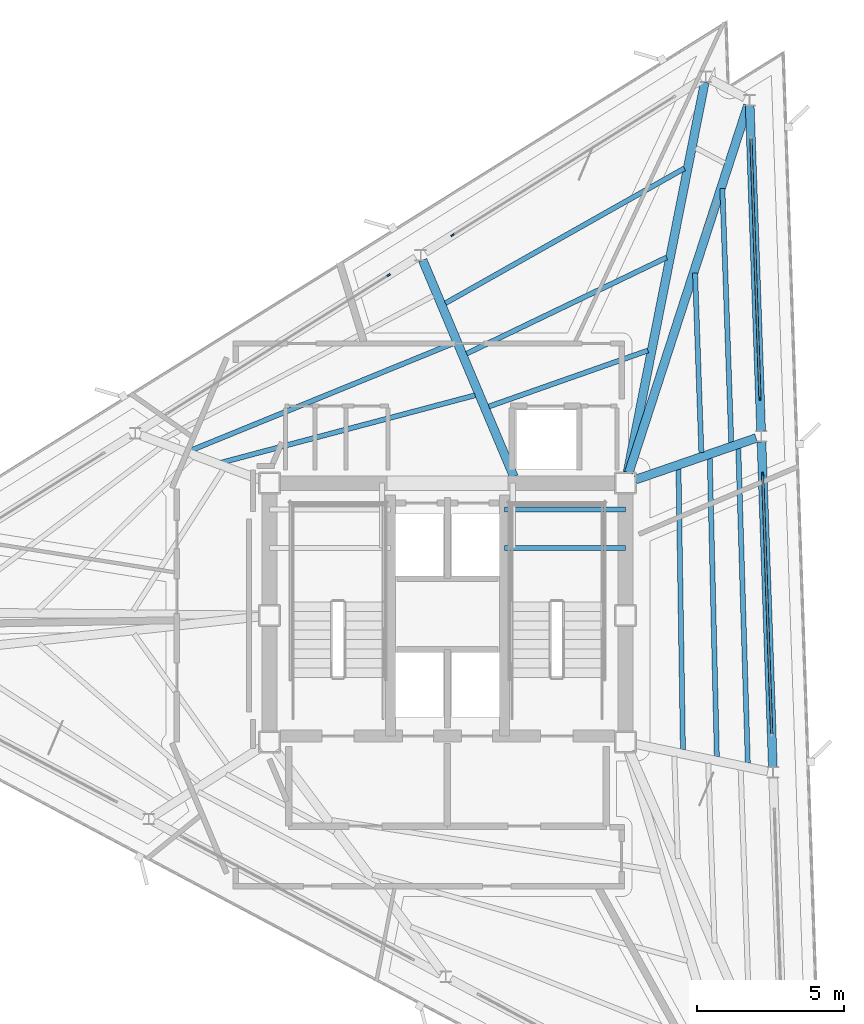
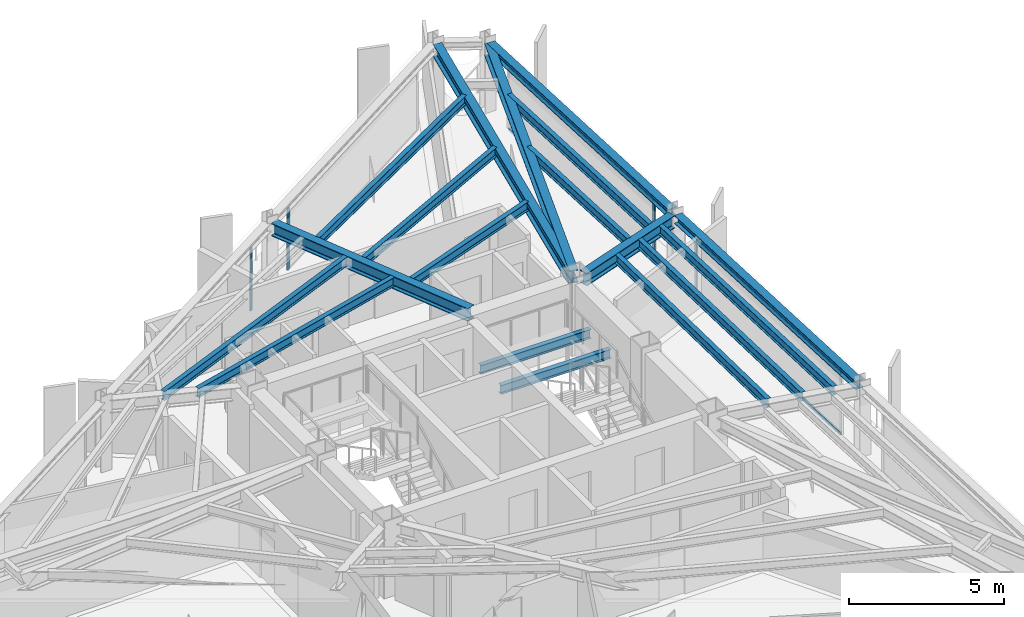
# One storey, part 5 of 13: 18 beams, 8 members, 4 elements without a shape of their own.
"""IFC4 building model written with IfcOpenShell, lengths in metres."""

from ifc_helpers import new_model, si_unit, direction, frame, origin, origin_2d, place, context, subcontext, project, spatial, rectangle, i_section, extrude, material, layer, layer_set, material_profile, profile_set, type_object, element, aggregate, save


model = new_model("IFC4")

# Units and contexts
model_context = context("Model", 3, precision=1e-05, world=origin(), true_north=direction((0.0, 1.0)))
body_context = subcontext(model_context, "Body", "Model", "MODEL_VIEW")
ifc_project = project(units=[si_unit("LENGTHUNIT", "METRE"), si_unit("AREAUNIT", "SQUARE_METRE"), si_unit("VOLUMEUNIT", "CUBIC_METRE"), si_unit("PLANEANGLEUNIT", "RADIAN"), si_unit("MASSUNIT", "GRAM", prefix="KILO")], contexts=[model_context])

# Site, building, storey
site_placement = place(None, origin())
site = spatial("IfcSite", under=ifc_project, at=site_placement, CompositionType="ELEMENT")
building_placement = place(site_placement, origin())
building = spatial("IfcBuilding", under=site, at=building_placement, Name="Rocaltana Carrier Exchange", CompositionType="ELEMENT")
storey_placement = place(building_placement, frame((0.0, 0.0, 199.679931640625)))
storey = spatial("IfcBuildingStorey", under=building, at=storey_placement, Name="L63", CompositionType="ELEMENT", Elevation=199.679931640625)

# Curtain wall, member
ifc_material_1 = material(Name="Aluminium 6063-T6", Category="aluminium")
ifc_layer = layer(ifc_material_1, 0.1201171875)
ifc_layer_set = layer_set([ifc_layer], Name="Aluminium 6063-T6")
curtain_wall_type = type_object("IfcCurtainWallType", Name="High-Altitude Thermal Curtain Wall CW-05", PredefinedType="NOTDEFINED", material=ifc_layer_set)
curtain_wall_1_placement = place(storey_placement, origin())
curtain_wall_1 = element("IfcCurtainWall", 1, at=curtain_wall_1_placement, inside=storey, type_object=curtain_wall_type, Name="L63 CW-05 Run CW-L63-F1S2", PredefinedType="NOTDEFINED")
ifc_material_2 = material(Name="Aluminium 6063-T6", Category="aluminium")
ifc_material_profile_1 = material_profile(ifc_material_2, rectangle(XDim=0.06005859375, YDim=0.1201171875, at=origin_2d()), Name="AL-60X120")
ifc_profile_set_1 = profile_set([ifc_material_profile_1], Name="Aluminium 6063-T6")
member_type_1 = type_object("IfcMemberType", Name="CW-05 Mullion AL-60X120", PredefinedType="MULLION", material=ifc_profile_set_1)
member_1_placement = place(storey_placement, frame((10.712890625, 4.8134765625, 0.0), z_axis=(0.0, 0.0, 1.0), x_axis=(-0.999390720156, -0.034902556738, 0.0)))
member_1 = element("IfcMember", 2, at=member_1_placement, type_object=member_type_1, Name="CW-05 mullion 2", PredefinedType="MULLION", context=body_context, shape_type="SweptSolid", body=[
    extrude(rectangle(XDim=0.06005859375, YDim=0.1201171875, at=origin_2d()), origin(), (0.0, 0.0, 1.0), 2.447998046875),
])

curtain_wall_2_placement = place(storey_placement, origin())
curtain_wall_2 = element("IfcCurtainWall", 3, at=curtain_wall_2_placement, inside=storey, type_object=curtain_wall_type, Name="L63 CW-05 Run CW-L63-F1S3", PredefinedType="NOTDEFINED")
member_2_placement = place(storey_placement, frame((10.62353515625, 7.371826171875, 0.0), z_axis=(0.0, 0.0, 1.0), x_axis=(-0.999390720156, -0.034902556738, 0.0)))
member_2 = element("IfcMember", 4, at=member_2_placement, type_object=member_type_1, Name="CW-05 mullion 1", PredefinedType="MULLION", context=body_context, shape_type="SweptSolid", body=[
    extrude(rectangle(XDim=0.06005859375, YDim=0.1201171875, at=origin_2d()), origin(), (0.0, 0.0, 1.0), 2.447998046875),
])

curtain_wall_3_placement = place(storey_placement, origin())
curtain_wall_3 = element("IfcCurtainWall", 5, at=curtain_wall_3_placement, inside=storey, type_object=curtain_wall_type, Name="L63 CW-05 Run CW-L63-F2S1", PredefinedType="NOTDEFINED")
member_3_placement = place(storey_placement, frame((0.171142578125, 12.9296875, 0.0), z_axis=(0.0, 0.0, 1.0), x_axis=(0.529928503412, -0.848042322807, 0.0)))
member_3 = element("IfcMember", 6, at=member_3_placement, type_object=member_type_1, Name="CW-05 mullion 2", PredefinedType="MULLION", context=body_context, shape_type="SweptSolid", body=[
    extrude(rectangle(XDim=0.06005859375, YDim=0.1201171875, at=origin_2d()), origin(), (0.0, 0.0, 1.0), 2.447998046875),
])
aggregate(curtain_wall_3, [member_3])

curtain_wall_4_placement = place(storey_placement, origin())
curtain_wall_4 = element("IfcCurtainWall", 7, at=curtain_wall_4_placement, inside=storey, type_object=curtain_wall_type, Name="L63 CW-05 Run CW-L63-F2S2", PredefinedType="NOTDEFINED")
member_4_placement = place(storey_placement, frame((-2.0, 11.572998046875, 0.0), z_axis=(0.0, 0.0, 1.0), x_axis=(0.529920452816, -0.848047353446, 0.0)))
member_4 = element("IfcMember", 8, at=member_4_placement, type_object=member_type_1, Name="CW-05 mullion 1", PredefinedType="MULLION", context=body_context, shape_type="SweptSolid", body=[
    extrude(rectangle(XDim=0.06005859375, YDim=0.1201171875, at=origin_2d()), origin(), (0.0, 0.0, 1.0), 2.447998046875),
])
aggregate(curtain_wall_4, [member_4])

# Member
ifc_material_3 = material(Name="Aluminium 6063-T6", Category="aluminium")
ifc_material_profile_2 = material_profile(ifc_material_3, rectangle(XDim=0.06005859375, YDim=0.1201171875, at=origin_2d()), Name="AL-60X120")
ifc_profile_set_2 = profile_set([ifc_material_profile_2], Name="Aluminium 6063-T6")
member_type_2 = type_object("IfcMemberType", Name="CW-05 Transom AL-60X120", PredefinedType="USERDEFINED", material=ifc_profile_set_2)
member_5_placement = place(storey_placement, frame((11.021484375, -4.024658203125, 0.030029296875), z_axis=(-0.034903051323, 0.999390702883, 0.0), x_axis=(-0.999390702883, -0.034903051323, 0.0)))
member_5 = element("IfcMember", 9, at=member_5_placement, type_object=member_type_2, Name="CW-05 transom 1.1", ObjectType="TRANSOM", PredefinedType="USERDEFINED", context=body_context, shape_type="SweptSolid", body=[
    extrude(rectangle(XDim=0.06005859375, YDim=0.1201171875, at=origin_2d()), origin(), (0.0, 0.0, 1.0), 8.8134765625),
])

member_6_placement = place(storey_placement, frame((11.021484375, -4.024658203125, 2.41796875), z_axis=(-0.034903051323, 0.999390702883, 0.0), x_axis=(-0.999390702883, -0.034903051323, 0.0)))
member_6 = element("IfcMember", 10, at=member_6_placement, type_object=member_type_2, Name="CW-05 transom 1.2", ObjectType="TRANSOM", PredefinedType="USERDEFINED", context=body_context, shape_type="SweptSolid", body=[
    extrude(rectangle(XDim=0.06005859375, YDim=0.1201171875, at=origin_2d()), origin(), (0.0, 0.0, 1.0), 8.8134765625),
])

aggregate(curtain_wall_1, [member_1, member_5, member_6])

member_7_placement = place(storey_placement, frame((10.62255859375, 7.40185546875, 0.030029296875), z_axis=(-0.034903051323, 0.999390702883, 0.0), x_axis=(-0.999390702883, -0.034903051323, 0.0)))
member_7 = element("IfcMember", 11, at=member_7_placement, type_object=member_type_2, Name="CW-05 transom 1.1", ObjectType="TRANSOM", PredefinedType="USERDEFINED", context=body_context, shape_type="SweptSolid", body=[
    extrude(rectangle(XDim=0.06005859375, YDim=0.1201171875, at=origin_2d()), origin(), (0.0, 0.0, 1.0), 8.8134765625),
])

member_8_placement = place(storey_placement, frame((10.62255859375, 7.40185546875, 2.41796875), z_axis=(-0.034903051323, 0.999390702883, 0.0), x_axis=(-0.999390702883, -0.034903051323, 0.0)))
member_8 = element("IfcMember", 12, at=member_8_placement, type_object=member_type_2, Name="CW-05 transom 1.2", ObjectType="TRANSOM", PredefinedType="USERDEFINED", context=body_context, shape_type="SweptSolid", body=[
    extrude(rectangle(XDim=0.06005859375, YDim=0.1201171875, at=origin_2d()), origin(), (0.0, 0.0, 1.0), 8.8134765625),
])

aggregate(curtain_wall_2, [member_2, member_7, member_8])

# Beams
ifc_material_4 = material(Name="Steel S355", Category="steel")
ifc_material_profile_3 = material_profile(ifc_material_4, i_section(OverallWidth=0.172119140625, OverallDepth=0.35791015625, WebThickness=0.0078125, FlangeThickness=0.01318359375, FilletRadius=0.011962890625, at=origin_2d()), Name="W14X38")
ifc_profile_set_3 = profile_set([ifc_material_profile_3], Name="Steel S355")
beam_type_1 = type_object("IfcBeamType", Name="Floor Joist W14X38", PredefinedType="JOIST", material=ifc_profile_set_3)
for number, where, z_axis, x_axis, name in (
    (13, (1.93994140625, 2.300048828125, 1.14111328125), (1.0, 0.0, 0.0), (0.0, 1.0, 0.0), "L63 ST-2 Landing Carrier 1"),
    (14, (1.93994140625, 3.60009765625, 1.14111328125), (1.0, 0.0, 0.0), (0.0, 1.0, 0.0), "L63 ST-2 Landing Carrier 2"),
):
    element("IfcBeam", number, at=place(storey_placement, frame(where, z_axis=z_axis, x_axis=x_axis)), inside=storey, type_object=beam_type_1, Name=name, PredefinedType="JOIST", context=body_context, shape_type="SweptSolid", body=[
        extrude(i_section(OverallWidth=0.172119140625, OverallDepth=0.35791015625, WebThickness=0.0078125, FlangeThickness=0.01318359375, FilletRadius=0.011962890625, at=origin_2d()), origin(), (0.0, 0.0, 1.0), 4.110107421875),
    ])
beam_1_placement = place(storey_placement, frame((8.00439453125, -4.55908203125, 2.619140625), z_axis=(-0.015819427731, 0.999874865024, 0.0), x_axis=(-0.999874865024, -0.015819427731, 0.0)))
element("IfcBeam", 15, at=beam_1_placement, inside=storey, type_object=beam_type_1, Name="FJ-L63-02-1", PredefinedType="JOIST", context=body_context, shape_type="SweptSolid", body=[
    extrude(i_section(OverallWidth=0.172119140625, OverallDepth=0.35791015625, WebThickness=0.0078125, FlangeThickness=0.01318359375, FilletRadius=0.011962890625, at=origin_2d()), origin(), (0.0, 0.0, 1.0), 9.53759765625),
])
beam_2_placement = place(storey_placement, frame((9.1572265625, -4.796875, 2.619140625), z_axis=(-0.023708273398, 0.999718919383, 0.0), x_axis=(-0.999718919383, -0.023708273398, 0.0)))
element("IfcBeam", 16, at=beam_2_placement, inside=storey, type_object=beam_type_1, Name="FJ-L63-02-2", PredefinedType="JOIST", context=body_context, shape_type="SweptSolid", body=[
    extrude(i_section(OverallWidth=0.172119140625, OverallDepth=0.35791015625, WebThickness=0.0078125, FlangeThickness=0.01318359375, FilletRadius=0.011962890625, at=origin_2d()), origin(), (0.0, 0.0, 1.0), 10.143310546875),
])
beam_3_placement = place(storey_placement, frame((10.2099609375, -5.013916015625, 2.619140625), z_axis=(-0.030150236213, 0.999545378288, 0.0), x_axis=(-0.999545378288, -0.030150236213, 0.0)))
element("IfcBeam", 17, at=beam_3_placement, inside=storey, type_object=beam_type_1, Name="FJ-L63-02-3", PredefinedType="JOIST", context=body_context, shape_type="SweptSolid", body=[
    extrude(i_section(OverallWidth=0.172119140625, OverallDepth=0.35791015625, WebThickness=0.0078125, FlangeThickness=0.01318359375, FilletRadius=0.011962890625, at=origin_2d()), origin(), (0.0, 0.0, 1.0), 10.69677734375),
])
beam_4_placement = place(storey_placement, frame((8.631103515625, 5.535888671875, 2.619140625), z_axis=(-0.034896830371, 0.999390920126, 0.0), x_axis=(-0.999390920126, -0.034896830371, 0.0)))
element("IfcBeam", 18, at=beam_4_placement, inside=storey, type_object=beam_type_1, Name="FJ-L63-03-2", PredefinedType="JOIST", context=body_context, shape_type="SweptSolid", body=[
    extrude(i_section(OverallWidth=0.172119140625, OverallDepth=0.35791015625, WebThickness=0.0078125, FlangeThickness=0.01318359375, FilletRadius=0.011962890625, at=origin_2d()), origin(), (0.0, 0.0, 1.0), 6.114501953125),
])
beam_5_placement = place(storey_placement, frame((9.647216796875, 5.88623046875, 2.619140625), z_axis=(-0.034909498386, 0.999390477703, 0.0), x_axis=(-0.999390477703, -0.034909498386, 0.0)))
element("IfcBeam", 19, at=beam_5_placement, inside=storey, type_object=beam_type_1, Name="FJ-L63-03-3", PredefinedType="JOIST", context=body_context, shape_type="SweptSolid", body=[
    extrude(i_section(OverallWidth=0.172119140625, OverallDepth=0.35791015625, WebThickness=0.0078125, FlangeThickness=0.01318359375, FilletRadius=0.011962890625, at=origin_2d()), origin(), (0.0, 0.0, 1.0), 8.630126953125),
])
beam_6_placement = place(storey_placement, frame((6.815673828125, 9.009521484375, 2.619140625), z_axis=(-0.943243231167, -0.332102705285, 0.0), x_axis=(0.332102705285, -0.943243231167, 0.0)))
element("IfcBeam", 20, at=beam_6_placement, inside=storey, type_object=beam_type_1, Name="FJ-L63-05-1", PredefinedType="JOIST", context=body_context, shape_type="SweptSolid", body=[
    extrude(i_section(OverallWidth=0.172119140625, OverallDepth=0.35791015625, WebThickness=0.0078125, FlangeThickness=0.01318359375, FilletRadius=0.011962890625, at=origin_2d()), origin(), (0.0, 0.0, 1.0), 5.732666015625),
])
beam_7_placement = place(storey_placement, frame((7.449951171875, 12.17138671875, 2.619140625), z_axis=(-0.90125874398, -0.433281290155, 0.0), x_axis=(0.433281290155, -0.90125874398, 0.0)))
element("IfcBeam", 21, at=beam_7_placement, inside=storey, type_object=beam_type_1, Name="FJ-L63-05-2", PredefinedType="JOIST", context=body_context, shape_type="SweptSolid", body=[
    extrude(i_section(OverallWidth=0.172119140625, OverallDepth=0.35791015625, WebThickness=0.0078125, FlangeThickness=0.01318359375, FilletRadius=0.011962890625, at=origin_2d()), origin(), (0.0, 0.0, 1.0), 7.543212890625),
])
beam_8_placement = place(storey_placement, frame((8.05517578125, 15.201171875, 2.619140625), z_axis=(-0.870951476943, -0.491369031187, 0.0), x_axis=(0.491369031187, -0.870951476943, 0.0)))
element("IfcBeam", 22, at=beam_8_placement, inside=storey, type_object=beam_type_1, Name="FJ-L63-05-3", PredefinedType="JOIST", context=body_context, shape_type="SweptSolid", body=[
    extrude(i_section(OverallWidth=0.172119140625, OverallDepth=0.35791015625, WebThickness=0.0078125, FlangeThickness=0.01318359375, FilletRadius=0.011962890625, at=origin_2d()), origin(), (0.0, 0.0, 1.0), 9.330078125),
])
beam_9_placement = place(storey_placement, frame((0.937744140625, 7.486083984375, 2.619140625), z_axis=(-0.966555608165, -0.256457123756, 0.0), x_axis=(0.256457123756, -0.966555608165, 0.0)))
element("IfcBeam", 23, at=beam_9_placement, inside=storey, type_object=beam_type_1, Name="FJ-L63-06-1", PredefinedType="JOIST", context=body_context, shape_type="SweptSolid", body=[
    extrude(i_section(OverallWidth=0.172119140625, OverallDepth=0.35791015625, WebThickness=0.0078125, FlangeThickness=0.01318359375, FilletRadius=0.011962890625, at=origin_2d()), origin(), (0.0, 0.0, 1.0), 8.92578125),
])
beam_10_placement = place(storey_placement, frame((0.192626953125, 9.25146484375, 2.619140625), z_axis=(-0.925846018296, -0.37790097963, 0.0), x_axis=(0.37790097963, -0.925846018296, 0.0)))
element("IfcBeam", 24, at=beam_10_placement, inside=storey, type_object=beam_type_1, Name="FJ-L63-06-2", PredefinedType="JOIST", context=body_context, shape_type="SweptSolid", body=[
    extrude(i_section(OverallWidth=0.172119140625, OverallDepth=0.35791015625, WebThickness=0.0078125, FlangeThickness=0.01318359375, FilletRadius=0.011962890625, at=origin_2d()), origin(), (0.0, 0.0, 1.0), 9.652587890625),
])
ifc_material_5 = material(Name="Steel S355", Category="steel")
ifc_material_profile_4 = material_profile(ifc_material_5, i_section(OverallWidth=0.300048828125, OverallDepth=0.320068359375, WebThickness=0.011474609375, FlangeThickness=0.0205078125, FilletRadius=0.027099609375, at=origin_2d()), Name="HEB320")
ifc_profile_set_4 = profile_set([ifc_material_profile_4], Name="Steel S355")
beam_type_2 = type_object("IfcBeamType", Name="Spandrel Edge Beam HEB320", PredefinedType="SPANDREL", material=ifc_profile_set_4)
beam_11_placement = place(storey_placement, frame((11.060791015625, -5.148193359375, 2.63818359375), z_axis=(-0.034892504549, 0.999391071166, 0.0), x_axis=(-0.999391071166, -0.034892504549, 0.0)))
element("IfcBeam", 25, at=beam_11_placement, inside=storey, type_object=beam_type_2, Name="SP-L63-02", PredefinedType="SPANDREL", context=body_context, shape_type="SweptSolid", body=[
    extrude(i_section(OverallWidth=0.300048828125, OverallDepth=0.320068359375, WebThickness=0.011474609375, FlangeThickness=0.0205078125, FilletRadius=0.027099609375, at=origin_2d()), origin(), (0.0, 0.0, 1.0), 11.062255859375),
])
beam_12_placement = place(storey_placement, frame((10.66162109375, 6.278076171875, 2.63818359375), z_axis=(-0.034891734961, 0.999391098035, 0.0), x_axis=(-0.999391098035, -0.034891734961, 0.0)))
element("IfcBeam", 26, at=beam_12_placement, inside=storey, type_object=beam_type_2, Name="SP-L63-03", PredefinedType="SPANDREL", context=body_context, shape_type="SweptSolid", body=[
    extrude(i_section(OverallWidth=0.300048828125, OverallDepth=0.320068359375, WebThickness=0.011474609375, FlangeThickness=0.0205078125, FilletRadius=0.027099609375, at=origin_2d()), origin(), (0.0, 0.0, 1.0), 11.0625),
])
ifc_material_6 = material(Name="Steel S355", Category="steel")
ifc_material_profile_5 = material_profile(ifc_material_6, i_section(OverallWidth=0.300048828125, OverallDepth=0.5, WebThickness=0.014404296875, FlangeThickness=0.028076171875, FilletRadius=0.027099609375, at=origin_2d()), Name="HEB500")
ifc_profile_set_5 = profile_set([ifc_material_profile_5], Name="Steel S355")
beam_type_3 = type_object("IfcBeamType", Name="Upper Radial Girder HEB500", PredefinedType="BEAM", material=ifc_profile_set_5)
beam_13_placement = place(storey_placement, frame((6.39697265625, 4.61962890625, 2.548095703125), z_axis=(0.945358609148, 0.326032360525, 0.0), x_axis=(-0.326032360525, 0.945358609148, 0.0)))
element("IfcBeam", 27, at=beam_13_placement, inside=storey, type_object=beam_type_3, Name="RG-L63-03", PredefinedType="BEAM", context=body_context, shape_type="SweptSolid", body=[
    extrude(i_section(OverallWidth=0.300048828125, OverallDepth=0.5, WebThickness=0.014404296875, FlangeThickness=0.028076171875, FilletRadius=0.027099609375, at=origin_2d()), origin(), (0.0, 0.0, 1.0), 4.332763671875),
])
beam_14_placement = place(storey_placement, frame((6.1630859375, 4.84912109375, 2.548095703125), z_axis=(0.308291934465, 0.951291797055, 0.0), x_axis=(-0.951291797055, 0.308291934465, 0.0)))
element("IfcBeam", 28, at=beam_14_placement, inside=storey, type_object=beam_type_3, Name="RG-L63-04", PredefinedType="BEAM", context=body_context, shape_type="SweptSolid", body=[
    extrude(i_section(OverallWidth=0.300048828125, OverallDepth=0.5, WebThickness=0.014404296875, FlangeThickness=0.028076171875, FilletRadius=0.027099609375, at=origin_2d()), origin(), (0.0, 0.0, 1.0), 13.133056640625),
])
beam_15_placement = place(storey_placement, frame((6.12109375, 4.860107421875, 2.548095703125), z_axis=(0.194046791862, 0.980992274469, 0.0), x_axis=(-0.980992274469, 0.194046791862, 0.0)))
element("IfcBeam", 29, at=beam_15_placement, inside=storey, type_object=beam_type_3, Name="RG-L63-05", PredefinedType="BEAM", context=body_context, shape_type="SweptSolid", body=[
    extrude(i_section(OverallWidth=0.300048828125, OverallDepth=0.5, WebThickness=0.014404296875, FlangeThickness=0.028076171875, FilletRadius=0.027099609375, at=origin_2d()), origin(), (0.0, 0.0, 1.0), 13.525146484375),
])
beam_16_placement = place(storey_placement, frame((2.256103515625, 4.722900390625, 2.548095703125), z_axis=(-0.388139028608, 0.921600832503, 0.0), x_axis=(-0.921600832503, -0.388139028608, 0.0)))
element("IfcBeam", 30, at=beam_16_placement, inside=storey, type_object=beam_type_3, Name="RG-L63-06", PredefinedType="BEAM", context=body_context, shape_type="SweptSolid", body=[
    extrude(i_section(OverallWidth=0.300048828125, OverallDepth=0.5, WebThickness=0.014404296875, FlangeThickness=0.028076171875, FilletRadius=0.027099609375, at=origin_2d()), origin(), (0.0, 0.0, 1.0), 7.9833984375),
])

save(model, "model.ifc")
